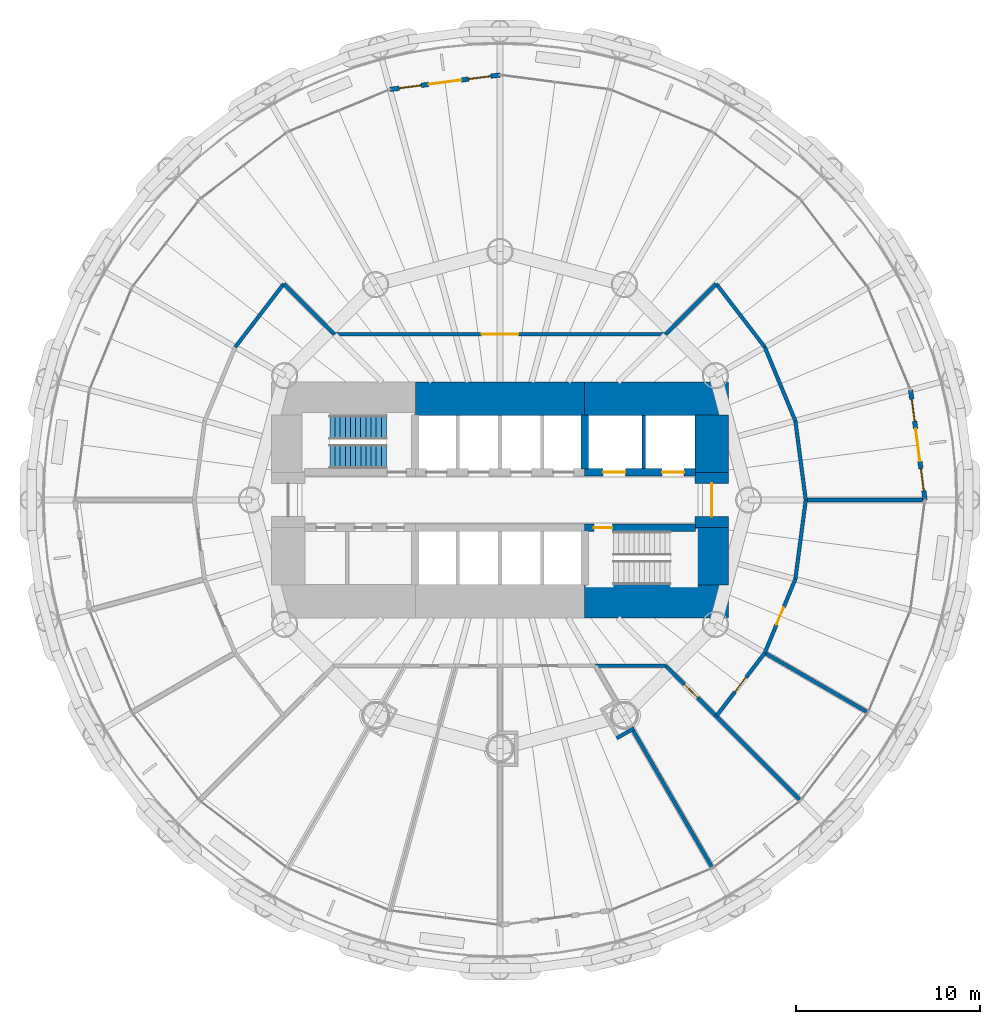
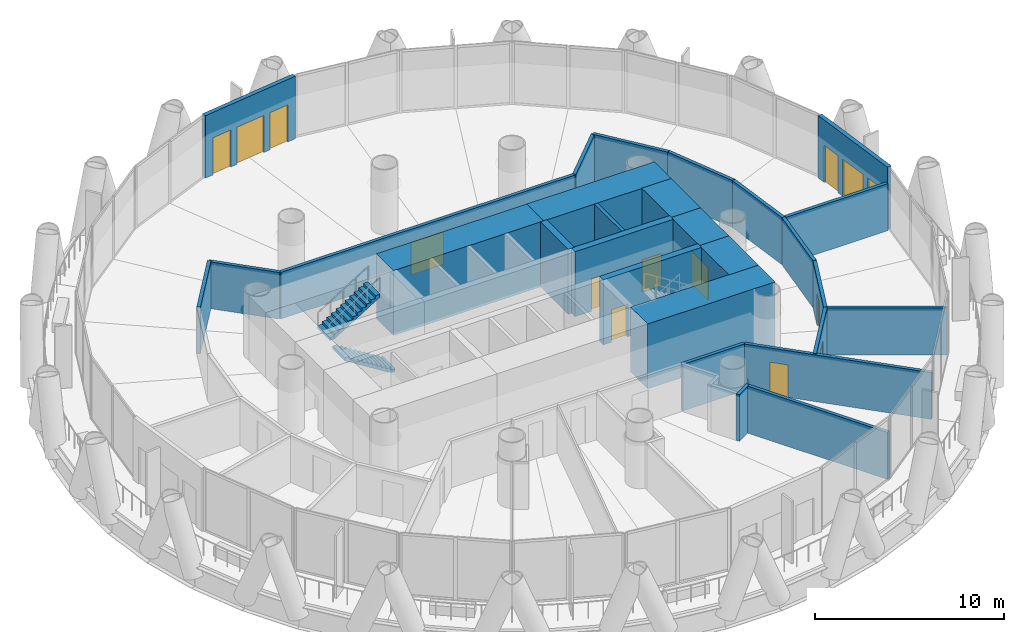
# One storey, part 11 of 16: 28 walls, 10 doors, 4 windows, 2 stair flights, 14 openings, 1 element without a shape of its own.
"""IFC4 building model written with IfcOpenShell, lengths in metres."""

from ifc_helpers import new_model, si_unit, direction, frame, frame_2d, origin, place, context, subcontext, project, spatial, polyline, rectangle, outline, extrude, material, layer, layer_set, type_object, element, fill, aggregate, save


model = new_model("IFC4")

# Units and contexts
model_context = context("Model", 3, precision=1e-05, world=origin(), true_north=direction((0.0, 1.0)))
body_context = subcontext(model_context, "Body", "Model", "MODEL_VIEW")
ifc_project = project(units=[si_unit("LENGTHUNIT", "METRE"), si_unit("AREAUNIT", "SQUARE_METRE"), si_unit("VOLUMEUNIT", "CUBIC_METRE"), si_unit("PLANEANGLEUNIT", "RADIAN"), si_unit("MASSUNIT", "GRAM", prefix="KILO")], contexts=[model_context])

# Site, building, storey
site_placement = place(None, origin())
site = spatial("IfcSite", under=ifc_project, at=site_placement, CompositionType="ELEMENT")
building_placement = place(site_placement, origin())
building = spatial("IfcBuilding", under=site, at=building_placement, Name="Qaws Media Tower", CompositionType="ELEMENT")
storey_placement = place(building_placement, frame((0.0, 0.0, 89.0)))
storey = spatial("IfcBuildingStorey", under=building, at=storey_placement, Name="L19", CompositionType="ELEMENT", Elevation=89.0)

# Wall, openings, door, windows
ifc_material_1 = material(Name="Precast concrete, exposed finish", Category="concrete")
ifc_layer_1 = layer(ifc_material_1, 0.25)
ifc_layer_set_1 = layer_set([ifc_layer_1], Name="Balcony door wall 250")
wall_type_1 = type_object("IfcWallType", Name="Balcony door wall 250", PredefinedType="SOLIDWALL", material=ifc_layer_set_1)
wall_1_placement = place(storey_placement, frame((83.074951171875, 50.0, 0.0), z_axis=(0.0, 0.0, 1.0), x_axis=(-0.130506933898, 0.99144739659, 0.0)))
wall_1 = element("IfcWall", 1, at=wall_1_placement, inside=storey, type_object=wall_type_1, Name="W160 EW1 balcony door wall L19-01", PredefinedType="SOLIDWALL", context=body_context, shape_type="SweptSolid", body=[
    extrude(rectangle(XDim=6.023681640625, YDim=0.25, at=frame_2d((3.01171875, 0.0))), origin(), (0.0, 0.0, 1.0), 4.0400390625),
])
opening_1_placement = place(wall_1_placement, frame((2.11181640625, 0.0, 0.0)))
opening_1 = element("IfcOpeningElement", 2, at=opening_1_placement, cuts=wall_1, Name="Opening D7", PredefinedType="OPENING", context=body_context, shape_type="SweptSolid", body=[
    extrude(rectangle(XDim=1.800048828125, YDim=2.39990234375, at=frame_2d((0.89990234375, 1.199951171875))), frame((0.0, 0.135009765625, 0.0), z_axis=(0.0, -1.0, 0.0), x_axis=(1.0, 0.0, 0.0)), (0.0, 0.0, 1.0), 0.27001953125),
])
opening_2_placement = place(wall_1_placement, frame((0.511962890625, 0.0, 0.0)))
opening_2 = element("IfcOpeningElement", 3, at=opening_2_placement, cuts=wall_1, Name="Opening W1", PredefinedType="OPENING", context=body_context, shape_type="SweptSolid", body=[
    extrude(rectangle(XDim=1.199951171875, YDim=2.39990234375, at=frame_2d((0.60009765625, 1.199951171875))), frame((0.0, 0.135009765625, 0.0), z_axis=(0.0, -1.0, 0.0), x_axis=(1.0, 0.0, 0.0)), (0.0, 0.0, 1.0), 0.27001953125),
])
opening_3_placement = place(wall_1_placement, frame((4.31201171875, 0.0, 0.0)))
opening_3 = element("IfcOpeningElement", 4, at=opening_3_placement, cuts=wall_1, Name="Opening W1", PredefinedType="OPENING", context=body_context, shape_type="SweptSolid", body=[
    extrude(rectangle(XDim=1.199951171875, YDim=2.39990234375, at=frame_2d((0.60009765625, 1.199951171875))), frame((0.0, 0.135009765625, 0.0), z_axis=(0.0, -1.0, 0.0), x_axis=(1.0, 0.0, 0.0)), (0.0, 0.0, 1.0), 0.27001953125),
])
ifc_material_2 = material(Name="Aluminium and clear glass", Category="aluminium")
door_type_1 = type_object("IfcDoorType", Name="Balcony door pair 1800", OperationType="DOUBLE_DOOR_SLIDING", PredefinedType="DOOR", material=ifc_material_2)
door_1_placement = place(opening_1_placement, origin())
door_1 = element("IfcDoor", 5, at=door_1_placement, inside=storey, type_object=door_type_1, Name="D7 balcony door L19-01 in wall W160", OperationType="DOUBLE_DOOR_SLIDING", OverallHeight=2.39990234375, OverallWidth=1.800048828125, PredefinedType="DOOR", context=body_context, shape_type="SweptSolid", body=[
    extrude(rectangle(XDim=1.800048828125, YDim=2.39990234375, at=frame_2d((0.89990234375, 1.199951171875))), frame((0.0, 0.02490234375, 0.0), z_axis=(0.0, -1.0, 0.0), x_axis=(1.0, 0.0, 0.0)), (0.0, 0.0, 1.0), 0.050048828125),
])
fill(opening_1, door_1)
ifc_material_3 = material(Name="Aluminium and clear glass", Category="aluminium")
window_type = type_object("IfcWindowType", Name="Balcony side window 1200", PartitioningType="SINGLE_PANEL", PredefinedType="WINDOW", material=ifc_material_3)
window_1_placement = place(opening_2_placement, origin())
window_1 = element("IfcWindow", 6, at=window_1_placement, inside=storey, type_object=window_type, Name="W1 balcony side light L19-01L", OverallHeight=2.39990234375, OverallWidth=1.199951171875, PartitioningType="SINGLE_PANEL", PredefinedType="WINDOW", context=body_context, shape_type="SweptSolid", body=[
    extrude(rectangle(XDim=1.199951171875, YDim=2.39990234375, at=frame_2d((0.60009765625, 1.199951171875))), frame((0.0, 0.030029296875, 0.0), z_axis=(0.0, -1.0, 0.0), x_axis=(1.0, 0.0, 0.0)), (0.0, 0.0, 1.0), 0.06005859375),
])
fill(opening_2, window_1)
window_2_placement = place(opening_3_placement, origin())
window_2 = element("IfcWindow", 7, at=window_2_placement, inside=storey, type_object=window_type, Name="W1 balcony side light L19-01R", OverallHeight=2.39990234375, OverallWidth=1.199951171875, PartitioningType="SINGLE_PANEL", PredefinedType="WINDOW", context=body_context, shape_type="SweptSolid", body=[
    extrude(rectangle(XDim=1.199951171875, YDim=2.39990234375, at=frame_2d((0.60009765625, 1.199951171875))), frame((0.0, 0.030029296875, 0.0), z_axis=(0.0, -1.0, 0.0), x_axis=(1.0, 0.0, 0.0)), (0.0, 0.0, 1.0), 0.06005859375),
])
fill(opening_3, window_2)

wall_2_placement = place(storey_placement, frame((60.0, 73.074951171875, 0.0), z_axis=(0.0, 0.0, 1.0), x_axis=(-0.99144739659, -0.130506933898, 0.0)))
wall_2 = element("IfcWall", 8, at=wall_2_placement, inside=storey, type_object=wall_type_1, Name="W159 EW1 balcony door wall L19-07", PredefinedType="SOLIDWALL", context=body_context, shape_type="SweptSolid", body=[
    extrude(rectangle(XDim=6.023681640625, YDim=0.25, at=frame_2d((3.01171875, 0.0))), origin(), (0.0, 0.0, 1.0), 4.0400390625),
])
opening_4_placement = place(wall_2_placement, frame((2.11181640625, 0.0, 0.0)))
opening_4 = element("IfcOpeningElement", 9, at=opening_4_placement, cuts=wall_2, Name="Opening D7", PredefinedType="OPENING", context=body_context, shape_type="SweptSolid", body=[
    extrude(rectangle(XDim=1.800048828125, YDim=2.39990234375, at=frame_2d((0.89990234375, 1.199951171875))), frame((0.0, 0.135009765625, 0.0), z_axis=(0.0, -1.0, 0.0), x_axis=(1.0, 0.0, 0.0)), (0.0, 0.0, 1.0), 0.27001953125),
])
opening_5_placement = place(wall_2_placement, frame((0.511962890625, 0.0, 0.0)))
opening_5 = element("IfcOpeningElement", 10, at=opening_5_placement, cuts=wall_2, Name="Opening W1", PredefinedType="OPENING", context=body_context, shape_type="SweptSolid", body=[
    extrude(rectangle(XDim=1.199951171875, YDim=2.39990234375, at=frame_2d((0.60009765625, 1.199951171875))), frame((0.0, 0.135009765625, 0.0), z_axis=(0.0, -1.0, 0.0), x_axis=(1.0, 0.0, 0.0)), (0.0, 0.0, 1.0), 0.27001953125),
])
opening_6_placement = place(wall_2_placement, frame((4.31201171875, 0.0, 0.0)))
opening_6 = element("IfcOpeningElement", 11, at=opening_6_placement, cuts=wall_2, Name="Opening W1", PredefinedType="OPENING", context=body_context, shape_type="SweptSolid", body=[
    extrude(rectangle(XDim=1.199951171875, YDim=2.39990234375, at=frame_2d((0.60009765625, 1.199951171875))), frame((0.0, 0.135009765625, 0.0), z_axis=(0.0, -1.0, 0.0), x_axis=(1.0, 0.0, 0.0)), (0.0, 0.0, 1.0), 0.27001953125),
])
door_2_placement = place(opening_4_placement, origin())
door_2 = element("IfcDoor", 12, at=door_2_placement, inside=storey, type_object=door_type_1, Name="D7 balcony door L19-07 in wall W159", OperationType="DOUBLE_DOOR_SLIDING", OverallHeight=2.39990234375, OverallWidth=1.800048828125, PredefinedType="DOOR", context=body_context, shape_type="SweptSolid", body=[
    extrude(rectangle(XDim=1.800048828125, YDim=2.39990234375, at=frame_2d((0.89990234375, 1.199951171875))), frame((0.0, 0.02490234375, 0.0), z_axis=(0.0, -1.0, 0.0), x_axis=(1.0, 0.0, 0.0)), (0.0, 0.0, 1.0), 0.050048828125),
])
fill(opening_4, door_2)
window_3_placement = place(opening_5_placement, origin())
window_3 = element("IfcWindow", 13, at=window_3_placement, inside=storey, type_object=window_type, Name="W1 balcony side light L19-07L", OverallHeight=2.39990234375, OverallWidth=1.199951171875, PartitioningType="SINGLE_PANEL", PredefinedType="WINDOW", context=body_context, shape_type="SweptSolid", body=[
    extrude(rectangle(XDim=1.199951171875, YDim=2.39990234375, at=frame_2d((0.60009765625, 1.199951171875))), frame((0.0, 0.030029296875, 0.0), z_axis=(0.0, -1.0, 0.0), x_axis=(1.0, 0.0, 0.0)), (0.0, 0.0, 1.0), 0.06005859375),
])
fill(opening_5, window_3)
window_4_placement = place(opening_6_placement, origin())
window_4 = element("IfcWindow", 14, at=window_4_placement, inside=storey, type_object=window_type, Name="W1 balcony side light L19-07R", OverallHeight=2.39990234375, OverallWidth=1.199951171875, PartitioningType="SINGLE_PANEL", PredefinedType="WINDOW", context=body_context, shape_type="SweptSolid", body=[
    extrude(rectangle(XDim=1.199951171875, YDim=2.39990234375, at=frame_2d((0.60009765625, 1.199951171875))), frame((0.0, 0.030029296875, 0.0), z_axis=(0.0, -1.0, 0.0), x_axis=(1.0, 0.0, 0.0)), (0.0, 0.0, 1.0), 0.06005859375),
])
fill(opening_6, window_4)

# Wall, openings, doors
ifc_material_4 = material(Name="Concrete C60/75", Category="concrete")
ifc_layer_2 = layer(ifc_material_4, 0.39990234375)
ifc_layer_set_2 = layer_set([ifc_layer_2], Name="Core inner wall 400")
wall_type_2 = type_object("IfcWallType", Name="Core inner wall 400", PredefinedType="SHEAR", material=ifc_layer_set_2)
wall_3_placement = place(storey_placement, frame((64.60009765625, 51.5, 0.0), z_axis=(0.0, 0.0, 1.0), x_axis=(1.0, 0.0, 0.0)))
wall_3 = element("IfcWall", 15, at=wall_3_placement, inside=storey, type_object=wall_type_2, Name="W318 SW4 core wall SPNE L19", PredefinedType="SHEAR", context=body_context, shape_type="SweptSolid", body=[
    extrude(rectangle(XDim=6.02001953125, YDim=0.39990234375, at=frame_2d((3.010009765625, 0.0))), origin(), (0.0, 0.0, 1.0), 4.199951171875),
])
opening_7_placement = place(wall_3_placement, frame((1.0, 0.0, 0.0)))
opening_7 = element("IfcOpeningElement", 16, at=opening_7_placement, cuts=wall_3, Name="Opening LD2", PredefinedType="OPENING", context=body_context, shape_type="SweptSolid", body=[
    extrude(rectangle(XDim=1.199951171875, YDim=2.10009765625, at=frame_2d((0.60009765625, 1.050048828125))), frame((0.0, 0.2099609375, 0.0), z_axis=(0.0, -1.0, 0.0), x_axis=(1.0, 0.0, 0.0)), (0.0, 0.0, 1.0), 0.419921875),
])
opening_8_placement = place(wall_3_placement, frame((4.199951171875, 0.0, 0.0)))
opening_8 = element("IfcOpeningElement", 17, at=opening_8_placement, cuts=wall_3, Name="Opening LD2", PredefinedType="OPENING", context=body_context, shape_type="SweptSolid", body=[
    extrude(rectangle(XDim=1.199951171875, YDim=2.10009765625, at=frame_2d((0.60009765625, 1.050048828125))), frame((0.0, 0.2099609375, 0.0), z_axis=(0.0, -1.0, 0.0), x_axis=(1.0, 0.0, 0.0)), (0.0, 0.0, 1.0), 0.419921875),
])
ifc_material_5 = material(Name="Steel, fire rated", Category="steel")
door_type_2 = type_object("IfcDoorType", Name="Lift landing door 1200", OperationType="SLIDING_TO_LEFT", PredefinedType="DOOR", material=ifc_material_5)
door_3_placement = place(opening_7_placement, origin())
door_3 = element("IfcDoor", 18, at=door_3_placement, inside=storey, type_object=door_type_2, Name="FL1 landing door L19 in wall W318", OperationType="SLIDING_TO_LEFT", OverallHeight=2.10009765625, OverallWidth=1.199951171875, PredefinedType="DOOR", context=body_context, shape_type="SweptSolid", body=[
    extrude(rectangle(XDim=1.199951171875, YDim=2.10009765625, at=frame_2d((0.60009765625, 1.050048828125))), frame((0.0, 0.02490234375, 0.0), z_axis=(0.0, -1.0, 0.0), x_axis=(1.0, 0.0, 0.0)), (0.0, 0.0, 1.0), 0.050048828125),
])
fill(opening_7, door_3)
door_4_placement = place(opening_8_placement, origin())
door_4 = element("IfcDoor", 19, at=door_4_placement, inside=storey, type_object=door_type_2, Name="FL2 landing door L19 in wall W318", OperationType="SLIDING_TO_LEFT", OverallHeight=2.10009765625, OverallWidth=1.199951171875, PredefinedType="DOOR", context=body_context, shape_type="SweptSolid", body=[
    extrude(rectangle(XDim=1.199951171875, YDim=2.10009765625, at=frame_2d((0.60009765625, 1.050048828125))), frame((0.0, 0.02490234375, 0.0), z_axis=(0.0, -1.0, 0.0), x_axis=(1.0, 0.0, 0.0)), (0.0, 0.0, 1.0), 0.050048828125),
])
fill(opening_8, door_4)

# Wall, opening, door
wall_4_placement = place(storey_placement, frame((64.60009765625, 48.5, 0.0), z_axis=(0.0, 0.0, 1.0), x_axis=(1.0, 0.0, 0.0)))
wall_4 = element("IfcWall", 20, at=wall_4_placement, inside=storey, type_object=wall_type_2, Name="W317 SW4 core wall SPSE L19", PredefinedType="SHEAR", context=body_context, shape_type="SweptSolid", body=[
    extrude(rectangle(XDim=6.02001953125, YDim=0.39990234375, at=frame_2d((3.010009765625, 0.0))), origin(), (0.0, 0.0, 1.0), 4.199951171875),
])
opening_9_placement = place(wall_4_placement, frame((0.5, 0.0, 0.0)))
opening_9 = element("IfcOpeningElement", 21, at=opening_9_placement, cuts=wall_4, Name="Opening D1", PredefinedType="OPENING", context=body_context, shape_type="SweptSolid", body=[
    extrude(rectangle(XDim=1.0, YDim=2.10009765625, at=frame_2d((0.5, 1.050048828125))), frame((0.0, 0.2099609375, 0.0), z_axis=(0.0, -1.0, 0.0), x_axis=(1.0, 0.0, 0.0)), (0.0, 0.0, 1.0), 0.419921875),
])
ifc_material_6 = material(Name="Steel, fire rated", Category="steel")
door_type_3 = type_object("IfcDoorType", Name="Stair door 1000 FD120", OperationType="SINGLE_SWING_LEFT", PredefinedType="DOOR", material=ifc_material_6)
door_5_placement = place(opening_9_placement, origin())
door_5 = element("IfcDoor", 22, at=door_5_placement, inside=storey, type_object=door_type_3, Name="D1 stair S2 door L19 in wall W317", OperationType="SINGLE_SWING_LEFT", OverallHeight=2.10009765625, OverallWidth=1.0, PredefinedType="DOOR", context=body_context, shape_type="SweptSolid", body=[
    extrude(rectangle(XDim=1.0, YDim=2.10009765625, at=frame_2d((0.5, 1.050048828125))), frame((0.0, 0.02490234375, 0.0), z_axis=(0.0, -1.0, 0.0), x_axis=(1.0, 0.0, 0.0)), (0.0, 0.0, 1.0), 0.050048828125),
])
fill(opening_9, door_5)

# Walls
wall_5_placement = place(storey_placement, frame((64.60009765625, 51.679931640625, 0.0), z_axis=(0.0, 0.0, 1.0), x_axis=(0.0, 1.0, 0.0)))
element("IfcWall", 23, at=wall_5_placement, inside=storey, type_object=wall_type_2, Name="W319 SW4 core wall XNE L19", PredefinedType="SHEAR", context=body_context, shape_type="SweptSolid", body=[
    extrude(rectangle(XDim=2.940185546875, YDim=0.39990234375, at=frame_2d((1.47021484375, 0.0))), origin(), (0.0, 0.0, 1.0), 4.199951171875),
])
ifc_material_7 = material(Name="Concrete C60/75", Category="concrete")
ifc_layer_3 = layer(ifc_material_7, 1.800048828125)
ifc_layer_set_3 = layer_set([ifc_layer_3], Name="Core wall 1800")
wall_type_3 = type_object("IfcWallType", Name="Core wall 1800", PredefinedType="SHEAR", material=ifc_layer_set_3)
wall_6_placement = place(storey_placement, frame((55.39990234375, 55.5, 0.0), z_axis=(0.0, 0.0, 1.0), x_axis=(1.0, 0.0, 0.0)))
element("IfcWall", 24, at=wall_6_placement, inside=storey, type_object=wall_type_3, Name="W404 SW11 core wall N L19", PredefinedType="SHEAR", context=body_context, shape_type="SweptSolid", body=[
    extrude(rectangle(XDim=9.2001953125, YDim=1.800048828125, at=frame_2d((4.60009765625, 0.0))), origin(), (0.0, 0.0, 1.0), 4.199951171875),
])
for number, where, z_axis, x_axis, name in (
    (25, (64.60009765625, 55.5, 0.0), (0.0, 0.0, 1.0), (1.0, 0.0, 0.0), "W406 SW11 core wall NE L19"),
    (26, (64.60009765625, 44.5, 0.0), (0.0, 0.0, 1.0), (1.0, 0.0, 0.0), "W405 SW11 core wall SE L19"),
):
    element("IfcWall", number, at=place(storey_placement, frame(where, z_axis=z_axis, x_axis=x_axis)), inside=storey, type_object=wall_type_3, Name=name, PredefinedType="SHEAR", context=body_context, shape_type="SweptSolid", body=[
        extrude(rectangle(XDim=7.7998046875, YDim=1.800048828125, at=frame_2d((3.89990234375, 0.0))), origin(), (0.0, 0.0, 1.0), 4.199951171875),
    ])
wall_7_placement = place(storey_placement, frame((71.5, 45.3798828125, 0.0), z_axis=(0.0, 0.0, 1.0), x_axis=(0.0, 1.0, 0.0)))
element("IfcWall", 27, at=wall_7_placement, inside=storey, type_object=wall_type_3, Name="W407 SW11 core wall ES L19", PredefinedType="SHEAR", context=body_context, shape_type="SweptSolid", body=[
    extrude(rectangle(XDim=3.1201171875, YDim=1.800048828125, at=frame_2d((1.56005859375, 0.0))), origin(), (0.0, 0.0, 1.0), 4.199951171875),
])

# Wall, opening, door
wall_8_placement = place(storey_placement, frame((71.5, 48.5, 0.0), z_axis=(0.0, 0.0, 1.0), x_axis=(0.0, 1.0, 0.0)))
wall_8 = element("IfcWall", 28, at=wall_8_placement, inside=storey, type_object=wall_type_3, Name="W408 SW11 core wall E L19", PredefinedType="SHEAR", context=body_context, shape_type="SweptSolid", body=[
    extrude(rectangle(XDim=3.0, YDim=1.800048828125, at=frame_2d((1.5, 0.0))), origin(), (0.0, 0.0, 1.0), 4.199951171875),
])
opening_10_placement = place(wall_8_placement, frame((0.60009765625, 0.0, 0.0)))
opening_10 = element("IfcOpeningElement", 29, at=opening_10_placement, cuts=wall_8, Name="Opening D2", PredefinedType="OPENING", context=body_context, shape_type="SweptSolid", body=[
    extrude(rectangle(XDim=1.800048828125, YDim=2.10009765625, at=frame_2d((0.89990234375, 1.050048828125))), frame((0.0, 0.909912109375, 0.0), z_axis=(0.0, -1.0, 0.0), x_axis=(1.0, 0.0, 0.0)), (0.0, 0.0, 1.0), 1.820068359375),
])
ifc_material_8 = material(Name="Steel and glass, fire rated", Category="steel")
door_type_4 = type_object("IfcDoorType", Name="Lobby door pair 1800 FD60", OperationType="DOUBLE_DOOR_DOUBLE_SWING", PredefinedType="DOOR", material=ifc_material_8)
door_6_placement = place(opening_10_placement, origin())
door_6 = element("IfcDoor", 30, at=door_6_placement, inside=storey, type_object=door_type_4, Name="D2 core lobby door E L19 in wall W408", OperationType="DOUBLE_DOOR_DOUBLE_SWING", OverallHeight=2.10009765625, OverallWidth=1.800048828125, PredefinedType="DOOR", context=body_context, shape_type="SweptSolid", body=[
    extrude(rectangle(XDim=1.800048828125, YDim=2.10009765625, at=frame_2d((0.89990234375, 1.050048828125))), frame((0.0, 0.02490234375, 0.0), z_axis=(0.0, -1.0, 0.0), x_axis=(1.0, 0.0, 0.0)), (0.0, 0.0, 1.0), 0.050048828125),
])
fill(opening_10, door_6)

# Walls
wall_9_placement = place(storey_placement, frame((71.5, 51.5, 0.0), z_axis=(0.0, 0.0, 1.0), x_axis=(0.0, 1.0, 0.0)))
element("IfcWall", 31, at=wall_9_placement, inside=storey, type_object=wall_type_3, Name="W409 SW11 core wall EN L19", PredefinedType="SHEAR", context=body_context, shape_type="SweptSolid", body=[
    extrude(rectangle(XDim=3.1201171875, YDim=1.800048828125, at=frame_2d((1.56005859375, 0.0))), origin(), (0.0, 0.0, 1.0), 4.199951171875),
])
ifc_material_9 = material(Name="Gypsum board on galvanised metal studs, acoustic double stud, deflection head", Category="gypsum")
ifc_layer_4 = layer(ifc_material_9, 0.199951171875)
ifc_layer_set_4 = layer_set([ifc_layer_4], Name="Room partition 200")
wall_type_4 = type_object("IfcWallType", Name="Room partition 200", PredefinedType="PARTITIONING", material=ifc_layer_set_4)
wall_10_placement = place(storey_placement, frame((45.6240234375, 58.300048828125, 0.0), z_axis=(0.0, 0.0, 1.0), x_axis=(0.60874374674, 0.79336690806, 0.0)))
element("IfcWall", 32, at=wall_10_placement, inside=storey, type_object=wall_type_4, Name="W992 IW3 partition L19", PredefinedType="PARTITIONING", context=body_context, shape_type="SweptSolid", body=[
    extrude(rectangle(XDim=4.33349609375, YDim=0.199951171875, at=frame_2d((2.166748046875, 0.0))), origin(), (0.0, 0.0, 1.0), 3.0400390625),
])
wall_11_placement = place(storey_placement, frame((48.261962890625, 61.738037109375, 0.0), z_axis=(0.0, 0.0, 1.0), x_axis=(0.707106781187, -0.707106781187, 0.0)))
element("IfcWall", 33, at=wall_11_placement, inside=storey, type_object=wall_type_4, Name="W994 IW3 partition L19", PredefinedType="PARTITIONING", context=body_context, shape_type="SweptSolid", body=[
    extrude(rectangle(XDim=3.8720703125, YDim=0.199951171875, at=frame_2d((1.93603515625, 0.0))), origin(), (0.0, 0.0, 1.0), 3.02001953125),
])

# Wall, opening, door
wall_12_placement = place(storey_placement, frame((51.0, 59.0, 0.0), z_axis=(0.0, 0.0, 1.0), x_axis=(1.0, 0.0, 0.0)))
wall_12 = element("IfcWall", 34, at=wall_12_placement, inside=storey, type_object=wall_type_4, Name="W1098 IW3 partition L19", PredefinedType="PARTITIONING", context=body_context, shape_type="SweptSolid", body=[
    extrude(rectangle(XDim=18.0, YDim=0.199951171875, at=frame_2d((9.0, 0.0))), origin(), (0.0, 0.0, 1.0), 3.02001953125),
])
opening_11_placement = place(wall_12_placement, frame((8.0, 0.0, 0.0)))
opening_11 = element("IfcOpeningElement", 35, at=opening_11_placement, cuts=wall_12, Name="Opening D6", PredefinedType="OPENING", context=body_context, shape_type="SweptSolid", body=[
    extrude(rectangle(XDim=2.0, YDim=2.10009765625, at=frame_2d((1.0, 1.050048828125))), frame((0.0, 0.10986328125, 0.0), z_axis=(0.0, -1.0, 0.0), x_axis=(1.0, 0.0, 0.0)), (0.0, 0.0, 1.0), 0.219970703125),
])
ifc_material_10 = material(Name="Steel, acoustic, fire rated", Category="steel")
door_type_5 = type_object("IfcDoorType", Name="Room door pair 2000", OperationType="DOUBLE_DOOR_DOUBLE_SWING", PredefinedType="DOOR", material=ifc_material_10)
door_7_placement = place(opening_11_placement, origin())
door_7 = element("IfcDoor", 36, at=door_7_placement, inside=storey, type_object=door_type_5, Name="D6 Newsroom door L19 in wall W1098", OperationType="DOUBLE_DOOR_DOUBLE_SWING", OverallHeight=2.10009765625, OverallWidth=2.0, PredefinedType="DOOR", context=body_context, shape_type="SweptSolid", body=[
    extrude(rectangle(XDim=2.0, YDim=2.10009765625, at=frame_2d((1.0, 1.050048828125))), frame((0.0, 0.02490234375, 0.0), z_axis=(0.0, -1.0, 0.0), x_axis=(1.0, 0.0, 0.0)), (0.0, 0.0, 1.0), 0.050048828125),
])
fill(opening_11, door_7)

# Walls
wall_13_placement = place(storey_placement, frame((69.0, 59.0, 0.0), z_axis=(0.0, 0.0, 1.0), x_axis=(0.707106781187, 0.707106781187, 0.0)))
element("IfcWall", 37, at=wall_13_placement, inside=storey, type_object=wall_type_4, Name="W1011 IW3 partition L19", PredefinedType="PARTITIONING", context=body_context, shape_type="SweptSolid", body=[
    extrude(rectangle(XDim=3.8720703125, YDim=0.199951171875, at=frame_2d((1.93603515625, 0.0))), origin(), (0.0, 0.0, 1.0), 3.02001953125),
])
for number, where, z_axis, x_axis, name in (
    (38, (71.738037109375, 61.738037109375, 0.0), (0.0, 0.0, 1.0), (0.60874374674, -0.79336690806, 0.0), "W1012 IW3 partition L19"),
    (39, (74.3759765625, 58.300048828125, 0.0), (0.0, 0.0, 1.0), (0.382698425325, -0.923873322082, 0.0), "W1014 IW3 partition L19"),
    (40, (76.034423828125, 54.29638671875, 0.0), (0.0, 0.0, 1.0), (0.130536124221, -0.99144355375, 0.0), "W1016 IW3 partition L19"),
    (41, (76.60009765625, 50.0, 0.0), (0.0, 0.0, 1.0), (-0.130536124221, -0.99144355375, 0.0), "W1017 IW3 partition L19"),
):
    element("IfcWall", number, at=place(storey_placement, frame(where, z_axis=z_axis, x_axis=x_axis)), inside=storey, type_object=wall_type_4, Name=name, PredefinedType="PARTITIONING", context=body_context, shape_type="SweptSolid", body=[
        extrude(rectangle(XDim=4.33349609375, YDim=0.199951171875, at=frame_2d((2.166748046875, 0.0))), origin(), (0.0, 0.0, 1.0), 3.0400390625),
    ])

# Wall, opening, door
wall_14_placement = place(storey_placement, frame((76.034423828125, 45.70361328125, 0.0), z_axis=(0.0, 0.0, 1.0), x_axis=(-0.382698425325, -0.923873322082, 0.0)))
wall_14 = element("IfcWall", 42, at=wall_14_placement, inside=storey, type_object=wall_type_4, Name="W1015 IW3 partition L19", PredefinedType="PARTITIONING", context=body_context, shape_type="SweptSolid", body=[
    extrude(rectangle(XDim=4.33349609375, YDim=0.199951171875, at=frame_2d((2.166748046875, 0.0))), origin(), (0.0, 0.0, 1.0), 3.0400390625),
])
opening_12_placement = place(wall_14_placement, frame((1.666748046875, 0.0, 0.0)))
opening_12 = element("IfcOpeningElement", 43, at=opening_12_placement, cuts=wall_14, Name="Opening D5", PredefinedType="OPENING", context=body_context, shape_type="SweptSolid", body=[
    extrude(rectangle(XDim=1.0, YDim=2.10009765625, at=frame_2d((0.5, 1.050048828125))), frame((0.0, 0.10986328125, 0.0), z_axis=(0.0, -1.0, 0.0), x_axis=(1.0, 0.0, 0.0)), (0.0, 0.0, 1.0), 0.219970703125),
])
ifc_material_11 = material(Name="Timber veneered, acoustic seal", Category="wood")
door_type_6 = type_object("IfcDoorType", Name="Room door 1000", OperationType="SINGLE_SWING_LEFT", PredefinedType="DOOR", material=ifc_material_11)
door_8_placement = place(opening_12_placement, origin())
door_8 = element("IfcDoor", 44, at=door_8_placement, inside=storey, type_object=door_type_6, Name="D5 Newsroom door L19 in wall W1015", OperationType="SINGLE_SWING_LEFT", OverallHeight=2.10009765625, OverallWidth=1.0, PredefinedType="DOOR", context=body_context, shape_type="SweptSolid", body=[
    extrude(rectangle(XDim=1.0, YDim=2.10009765625, at=frame_2d((0.5, 1.050048828125))), frame((0.0, 0.02490234375, 0.0), z_axis=(0.0, -1.0, 0.0), x_axis=(1.0, 0.0, 0.0)), (0.0, 0.0, 1.0), 0.050048828125),
])
fill(opening_12, door_8)

wall_15_placement = place(storey_placement, frame((74.3759765625, 41.699951171875, 0.0), z_axis=(0.0, 0.0, 1.0), x_axis=(-0.60874374674, -0.79336690806, 0.0)))
wall_15 = element("IfcWall", 45, at=wall_15_placement, inside=storey, type_object=wall_type_4, Name="W1013 IW3 partition L19", PredefinedType="PARTITIONING", context=body_context, shape_type="SweptSolid", body=[
    extrude(rectangle(XDim=4.33349609375, YDim=0.199951171875, at=frame_2d((2.166748046875, 0.0))), origin(), (0.0, 0.0, 1.0), 3.0400390625),
])
opening_13_placement = place(wall_15_placement, frame((1.666748046875, 0.0, 0.0)))
opening_13 = element("IfcOpeningElement", 46, at=opening_13_placement, cuts=wall_15, Name="Opening D5", PredefinedType="OPENING", context=body_context, shape_type="SweptSolid", body=[
    extrude(rectangle(XDim=1.0, YDim=2.10009765625, at=frame_2d((0.5, 1.050048828125))), frame((0.0, 0.10986328125, 0.0), z_axis=(0.0, -1.0, 0.0), x_axis=(1.0, 0.0, 0.0)), (0.0, 0.0, 1.0), 0.219970703125),
])
door_9_placement = place(opening_13_placement, origin())
door_9 = element("IfcDoor", 47, at=door_9_placement, inside=storey, type_object=door_type_6, Name="D5 Ladies toilets door L19 in wall W1013", OperationType="SINGLE_SWING_LEFT", OverallHeight=2.10009765625, OverallWidth=1.0, PredefinedType="DOOR", context=body_context, shape_type="SweptSolid", body=[
    extrude(rectangle(XDim=1.0, YDim=2.10009765625, at=frame_2d((0.5, 1.050048828125))), frame((0.0, 0.02490234375, 0.0), z_axis=(0.0, -1.0, 0.0), x_axis=(1.0, 0.0, 0.0)), (0.0, 0.0, 1.0), 0.050048828125),
])
fill(opening_13, door_9)

# Walls
wall_16_placement = place(storey_placement, frame((69.0, 41.0, 0.0), z_axis=(0.0, 0.0, 1.0), x_axis=(-1.0, 0.0, 0.0)))
element("IfcWall", 48, at=wall_16_placement, inside=storey, type_object=wall_type_4, Name="W1009 IW3 partition L19", PredefinedType="PARTITIONING", context=body_context, shape_type="SweptSolid", body=[
    extrude(rectangle(XDim=3.8037109375, YDim=0.199951171875, at=frame_2d((1.90185546875, 0.0))), origin(), (0.0, 0.0, 1.0), 3.02001953125),
])
wall_17_placement = place(storey_placement, frame((76.60009765625, 50.0, 0.0), z_axis=(0.0, 0.0, 1.0), x_axis=(1.0, 0.0, 0.0)))
element("IfcWall", 49, at=wall_17_placement, inside=storey, type_object=wall_type_4, Name="W1112 IW3 partition L19", PredefinedType="PARTITIONING", context=body_context, shape_type="SweptSolid", body=[
    extrude(rectangle(XDim=6.3349609375, YDim=0.199951171875, at=frame_2d((3.16748046875, 0.0))), origin(), (0.0, 0.0, 1.0), 3.0400390625),
])
wall_18_placement = place(storey_placement, frame((67.272216796875, 37.604248046875, 0.0), z_axis=(0.0, 0.0, 1.0), x_axis=(-0.86603892542, -0.499976579108, 0.0)))
element("IfcWall", 50, at=wall_18_placement, inside=storey, type_object=wall_type_4, Name="W1029 IW3 partition return L19", PredefinedType="PARTITIONING", context=body_context, shape_type="SweptSolid", body=[
    extrude(rectangle(XDim=1.0810546875, YDim=0.199951171875, at=frame_2d((0.54052734375, 0.0))), origin(), (0.0, 0.0, 1.0), 3.02001953125),
])
wall_19_placement = place(storey_placement, frame((67.235595703125, 37.4677734375, 0.0), z_axis=(0.0, 0.0, 1.0), x_axis=(0.499993076345, -0.866029401122, 0.0)))
element("IfcWall", 51, at=wall_19_placement, inside=storey, type_object=wall_type_4, Name="W1109 IW3 partition L19", PredefinedType="PARTITIONING", context=body_context, shape_type="SweptSolid", body=[
    extrude(rectangle(XDim=8.56396484375, YDim=0.199951171875, at=frame_2d((4.281982421875, 0.0))), origin(), (0.0, 0.0, 1.0), 3.0400390625),
])

# Wall, opening, door
wall_20_placement = place(storey_placement, frame((69.0, 41.0, 0.0), z_axis=(0.0, 0.0, 1.0), x_axis=(0.707106781187, -0.707106781187, 0.0)))
wall_20 = element("IfcWall", 52, at=wall_20_placement, inside=storey, type_object=wall_type_4, Name="W1110 IW3 partition L19", PredefinedType="PARTITIONING", context=body_context, shape_type="SweptSolid", body=[
    extrude(rectangle(XDim=10.306884765625, YDim=0.199951171875, at=frame_2d((5.1533203125, 0.0))), origin(), (0.0, 0.0, 1.0), 3.02001953125),
])
opening_14_placement = place(wall_20_placement, frame((1.43603515625, 0.0, 0.0)))
opening_14 = element("IfcOpeningElement", 53, at=opening_14_placement, cuts=wall_20, Name="Opening D5", PredefinedType="OPENING", context=body_context, shape_type="SweptSolid", body=[
    extrude(rectangle(XDim=1.0, YDim=2.10009765625, at=frame_2d((0.5, 1.050048828125))), frame((0.0, 0.10986328125, 0.0), z_axis=(0.0, -1.0, 0.0), x_axis=(1.0, 0.0, 0.0)), (0.0, 0.0, 1.0), 0.219970703125),
])
door_10_placement = place(opening_14_placement, origin())
door_10 = element("IfcDoor", 54, at=door_10_placement, inside=storey, type_object=door_type_6, Name="D5 Gents toilets door L19 in wall W1110", OperationType="SINGLE_SWING_LEFT", OverallHeight=2.10009765625, OverallWidth=1.0, PredefinedType="DOOR", context=body_context, shape_type="SweptSolid", body=[
    extrude(rectangle(XDim=1.0, YDim=2.10009765625, at=frame_2d((0.5, 1.050048828125))), frame((0.0, 0.02490234375, 0.0), z_axis=(0.0, -1.0, 0.0), x_axis=(1.0, 0.0, 0.0)), (0.0, 0.0, 1.0), 0.050048828125),
])
fill(opening_14, door_10)

# Walls
wall_21_placement = place(storey_placement, frame((74.3759765625, 41.699951171875, 0.0), z_axis=(0.0, 0.0, 1.0), x_axis=(0.866028272008, -0.499995032058, 0.0)))
element("IfcWall", 55, at=wall_21_placement, inside=storey, type_object=wall_type_4, Name="W1111 IW3 partition L19", PredefinedType="PARTITIONING", context=body_context, shape_type="SweptSolid", body=[
    extrude(rectangle(XDim=6.43505859375, YDim=0.199951171875, at=frame_2d((3.217529296875, 0.0))), origin(), (0.0, 0.0, 1.0), 3.0400390625),
])
ifc_material_12 = material(Name="Fire-rated gypsum board shaft wall on galvanised metal studs, deflection head", Category="gypsum")
ifc_layer_5 = layer(ifc_material_12, 0.199951171875)
ifc_layer_set_5 = layer_set([ifc_layer_5], Name="Shaft wall 200")
wall_type_5 = type_object("IfcWallType", Name="Shaft wall 200", PredefinedType="PARTITIONING", material=ifc_layer_set_5)
wall_22_placement = place(storey_placement, frame((67.800048828125, 51.699951171875, 0.0), z_axis=(0.0, 0.0, 1.0), x_axis=(0.0, 1.0, 0.0)))
element("IfcWall", 56, at=wall_22_placement, inside=storey, type_object=wall_type_5, Name="W1845 IW1 shaft wall FL L19", PredefinedType="PARTITIONING", context=body_context, shape_type="SweptSolid", body=[
    extrude(rectangle(XDim=2.900146484375, YDim=0.199951171875, at=frame_2d((1.4501953125, 0.0))), origin(), (0.0, 0.0, 1.0), 4.199951171875),
])

# Stair, stair flights
ifc_material_13 = material(Name="Concrete C40/50", Category="concrete")
stair_type = type_object("IfcStairType", Name="Exit stair", PredefinedType="HALF_TURN_STAIR", material=ifc_material_13)
stair_placement = place(storey_placement, origin())
stair = element("IfcStair", 57, at=stair_placement, inside=storey, type_object=stair_type, Name="S1 exit stair L19", PredefinedType="HALF_TURN_STAIR")
ifc_material_14 = material(Name="Concrete C40/50", Category="concrete")
stair_flight_type = type_object("IfcStairFlightType", Name="Stair flight 1310", PredefinedType="STRAIGHT", material=ifc_material_14)
stair_flight_1_placement = place(storey_placement, frame((53.840087890625, 52.35498046875, 0.0), z_axis=(0.0, 0.0, 1.0), x_axis=(-1.0, 0.0, 0.0)))
stair_flight_1 = element("IfcStairFlight", 58, at=stair_flight_1_placement, type_object=stair_flight_type, Name="S1 flight 1", NumberOfRisers=12, NumberOfTreads=11, PredefinedType="STRAIGHT", RiserHeight=0.175, TreadLength=0.28, context=body_context, shape_type="SweptSolid", body=[
    extrude(outline(polyline([(0.0, 0.0), (0.0, 0.175048828125), (0.280029296875, 0.175048828125), (0.280029296875, 0.35009765625), (0.56005859375, 0.35009765625), (0.56005859375, 0.52490234375), (0.840087890625, 0.52490234375), (0.840087890625, 0.699951171875), (1.1201171875, 0.699951171875), (1.1201171875, 0.875), (1.39990234375, 0.875), (1.39990234375, 1.050048828125), (1.679931640625, 1.050048828125), (1.679931640625, 1.22509765625), (1.9599609375, 1.22509765625), (1.9599609375, 1.39990234375), (2.239990234375, 1.39990234375), (2.239990234375, 1.574951171875), (2.52001953125, 1.574951171875), (2.52001953125, 1.75), (2.800048828125, 1.75), (2.800048828125, 1.925048828125), (3.080078125, 1.925048828125), (3.080078125, 2.10009765625), (3.080078125, 1.748291015625), (0.28271484375, 0.0), (0.0, 0.0)])), frame((0.0, 0.655029296875, 0.0), z_axis=(0.0, -1.0, 0.0), x_axis=(1.0, 0.0, 0.0)), (0.0, 0.0, 1.0), 1.31005859375),
])
stair_flight_2_placement = place(storey_placement, frame((50.760009765625, 53.945068359375, 2.10009765625), z_axis=(0.0, 0.0, 1.0), x_axis=(1.0, 0.0, 0.0)))
stair_flight_2 = element("IfcStairFlight", 59, at=stair_flight_2_placement, type_object=stair_flight_type, Name="S1 flight 2", NumberOfRisers=12, NumberOfTreads=11, PredefinedType="STRAIGHT", RiserHeight=0.175, TreadLength=0.28, context=body_context, shape_type="SweptSolid", body=[
    extrude(outline(polyline([(0.0, 0.0), (0.0, 0.175048828125), (0.280029296875, 0.175048828125), (0.280029296875, 0.35009765625), (0.56005859375, 0.35009765625), (0.56005859375, 0.52490234375), (0.840087890625, 0.52490234375), (0.840087890625, 0.699951171875), (1.1201171875, 0.699951171875), (1.1201171875, 0.875), (1.39990234375, 0.875), (1.39990234375, 1.050048828125), (1.679931640625, 1.050048828125), (1.679931640625, 1.22509765625), (1.9599609375, 1.22509765625), (1.9599609375, 1.39990234375), (2.239990234375, 1.39990234375), (2.239990234375, 1.574951171875), (2.52001953125, 1.574951171875), (2.52001953125, 1.75), (2.800048828125, 1.75), (2.800048828125, 1.925048828125), (3.080078125, 1.925048828125), (3.080078125, 2.10009765625), (3.080078125, 1.748291015625), (0.28271484375, 0.0), (0.0, 0.0)])), frame((0.0, 0.655029296875, 0.0), z_axis=(0.0, -1.0, 0.0), x_axis=(1.0, 0.0, 0.0)), (0.0, 0.0, 1.0), 1.31005859375),
])
aggregate(stair, [stair_flight_1, stair_flight_2])

save(model, "model.ifc")
